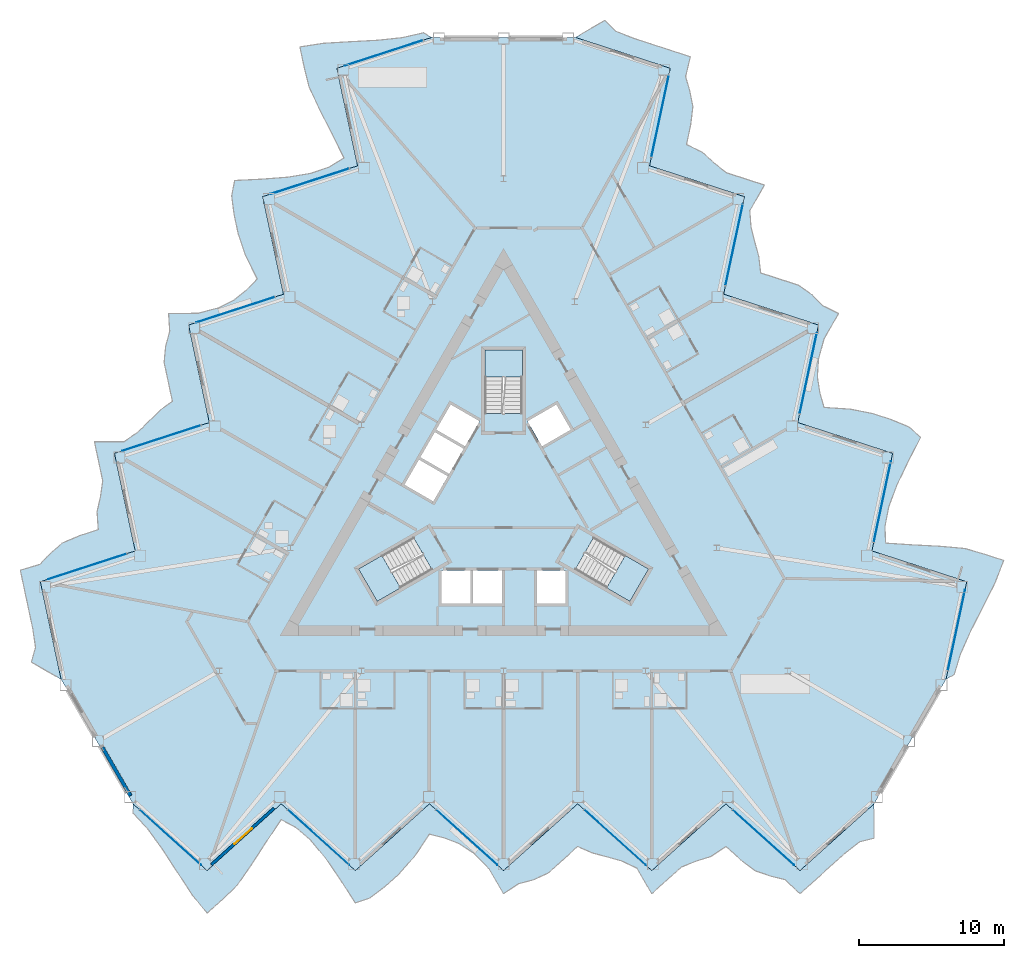
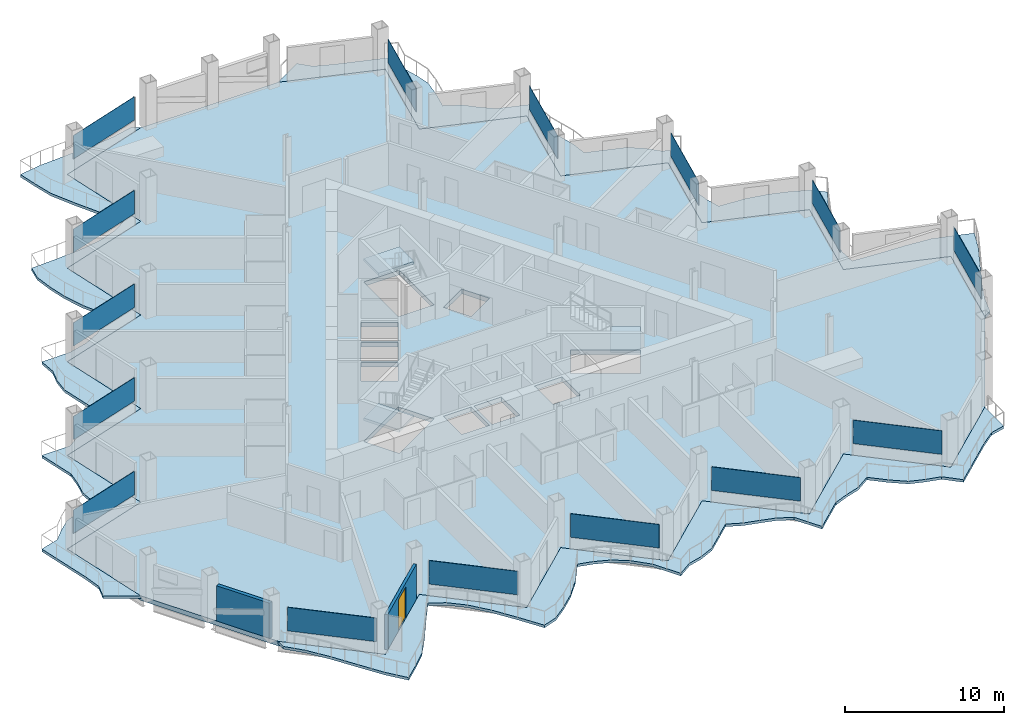
# One storey, part 9 of 23: 15 plates, 7 slabs, 2 walls, 1 door, 1 opening, 18 elements without a shape of their own.
"""IFC4 building model written with IfcOpenShell, lengths in metres."""

from ifc_helpers import new_model, si_unit, direction, frame, frame_2d, origin, origin_2d, place, context, subcontext, project, spatial, polyline, rectangle, outline, extrude, material, layer, layer_set, type_object, element, fill, aggregate, save


model = new_model("IFC4")

# Units and contexts
model_context = context("Model", 3, precision=1e-05, world=origin(), true_north=direction((0.0, 1.0)))
body_context = subcontext(model_context, "Body", "Model", "MODEL_VIEW")
ifc_project = project(units=[si_unit("LENGTHUNIT", "METRE"), si_unit("AREAUNIT", "SQUARE_METRE"), si_unit("VOLUMEUNIT", "CUBIC_METRE"), si_unit("PLANEANGLEUNIT", "RADIAN"), si_unit("MASSUNIT", "GRAM", prefix="KILO")], contexts=[model_context])

# Site, building, storey
site_placement = place(None, origin())
site = spatial("IfcSite", under=ifc_project, at=site_placement, CompositionType="ELEMENT")
building_placement = place(site_placement, origin())
building = spatial("IfcBuilding", under=site, at=building_placement, Name="Cormorant Prow Tower", CompositionType="ELEMENT")
storey_placement = place(building_placement, frame((0.0, 0.0, 180.0)))
storey = spatial("IfcBuildingStorey", under=building, at=storey_placement, Name="L38", CompositionType="ELEMENT", Elevation=180.0)

# Slabs
ifc_material_1 = material(Name="Concrete C40/50", Category="concrete")
ifc_layer_1 = layer(ifc_material_1, 0.199951171875)
ifc_layer_set_1 = layer_set([ifc_layer_1], Name="Concrete C40/50")
slab_type_1 = type_object("IfcSlabType", Name="Balcony slab 200", PredefinedType="FLOOR", material=ifc_layer_set_1)
slab_1_placement = place(storey_placement, frame((0.0, 0.0, -0.199951171875)))
element("IfcSlab", 1, at=slab_1_placement, inside=storey, type_object=slab_type_1, Name="Balcony slab S L38", PredefinedType="FLOOR", context=body_context, shape_type="SweptSolid", body=[
    extrude(outline(polyline([(-25.635498046875, -20.541748046875), (-25.635498046875, -21.191650390625), (-24.610107421875, -22.2939453125), (-23.584716796875, -23.703125), (-22.559326171875, -25.280029296875), (-21.533935546875, -26.837158203125), (-20.508544921875, -28.108154296875), (-19.48291015625, -27.184814453125), (-18.45751953125, -26.20556640625), (-17.43212890625, -24.7490234375), (-16.40673828125, -23.160400390625), (-15.38134765625, -21.63037109375), (-14.35595703125, -22.179443359375), (-13.33056640625, -23.068115234375), (-12.30517578125, -24.306396484375), (-11.279541015625, -25.803955078125), (-10.254150390625, -27.396240234375), (-9.228759765625, -27.045166015625), (-8.203369140625, -26.261474609375), (-7.177978515625, -25.33837890625), (-6.152587890625, -24.17041015625), (-5.127197265625, -22.638671875), (-4.101806640625, -22.897216796875), (-3.076171875, -23.289794921875), (-2.05078125, -23.96826171875), (-1.025390625, -25.0029296875), (0.0, -26.758056640625), (1.025390625, -26.073974609375), (2.05078125, -25.80322265625), (3.076171875, -25.33837890625), (4.101806640625, -24.4150390625), (5.127197265625, -23.49169921875), (6.152587890625, -23.943359375), (7.177978515625, -24.212158203125), (8.203369140625, -24.5029296875), (9.228759765625, -24.99658203125), (10.254150390625, -26.758056640625), (11.279541015625, -25.8349609375), (12.30517578125, -24.91162109375), (13.33056640625, -24.500244140625), (14.35595703125, -24.181884765625), (15.38134765625, -23.49169921875), (16.40673828125, -24.4150390625), (17.43212890625, -25.188232421875), (18.45751953125, -25.53515625), (19.48291015625, -25.789306640625), (20.508544921875, -26.758056640625), (21.533935546875, -25.8349609375), (22.559326171875, -24.91162109375), (23.584716796875, -23.98828125), (24.610107421875, -23.17529296875), (25.635498046875, -22.91650390625), (25.635498046875, -20.541748046875), (24.610107421875, -21.465087890625), (23.584716796875, -22.38818359375), (22.559326171875, -23.3115234375), (21.533935546875, -24.23486328125), (20.508544921875, -25.158203125), (19.48291015625, -24.23486328125), (18.45751953125, -23.3115234375), (17.43212890625, -22.38818359375), (16.40673828125, -21.465087890625), (15.38134765625, -20.541748046875), (14.35595703125, -21.465087890625), (13.33056640625, -22.38818359375), (12.30517578125, -23.3115234375), (11.279541015625, -24.23486328125), (10.254150390625, -25.158203125), (9.228759765625, -24.23486328125), (8.203369140625, -23.3115234375), (7.177978515625, -22.38818359375), (6.152587890625, -21.465087890625), (5.127197265625, -20.541748046875), (4.101806640625, -21.465087890625), (3.076171875, -22.38818359375), (2.05078125, -23.3115234375), (1.025390625, -24.23486328125), (0.0, -25.158203125), (-1.025390625, -24.23486328125), (-2.05078125, -23.3115234375), (-3.076171875, -22.38818359375), (-4.101806640625, -21.465087890625), (-5.127197265625, -20.541748046875), (-6.152587890625, -21.465087890625), (-7.177978515625, -22.38818359375), (-8.203369140625, -23.3115234375), (-9.228759765625, -24.23486328125), (-10.254150390625, -25.158203125), (-11.279541015625, -24.23486328125), (-12.30517578125, -23.3115234375), (-13.33056640625, -22.38818359375), (-14.35595703125, -21.465087890625), (-15.38134765625, -20.541748046875), (-16.40673828125, -21.465087890625), (-17.43212890625, -22.38818359375), (-18.45751953125, -23.3115234375), (-19.48291015625, -24.23486328125), (-20.508544921875, -25.158203125), (-21.533935546875, -24.23486328125), (-22.559326171875, -23.3115234375), (-23.584716796875, -22.38818359375), (-24.610107421875, -21.465087890625), (-25.635498046875, -20.541748046875)])), origin(), (0.0, 0.0, 1.0), 0.199951171875),
])
slab_2_placement = place(storey_placement, frame((0.0, 0.0, -0.199951171875)))
element("IfcSlab", 2, at=slab_2_placement, inside=storey, type_object=slab_type_1, Name="Balcony slab ENE L38", PredefinedType="FLOOR", context=body_context, shape_type="SweptSolid", body=[
    extrude(outline(polyline([(30.607421875, -11.93017578125), (31.17041015625, -11.605224609375), (31.6123046875, -10.166015625), (32.31982421875, -8.5732421875), (33.1728515625, -6.89697265625), (34.008544921875, -5.230224609375), (34.5966796875, -3.706787109375), (33.2841796875, -3.2802734375), (31.923583984375, -2.882080078125), (30.1494140625, -2.72216796875), (28.260986328125, -2.62841796875), (26.423095703125, -2.50537109375), (26.385986328125, -1.3427734375), (26.642822265625, -0.010498046875), (27.202392578125, 1.49658203125), (27.98681640625, 3.133544921875), (28.85302734375, 4.817626953125), (28.0361328125, 5.5302734375), (26.844970703125, 6.0263671875), (25.532470703125, 6.452880859375), (24.008544921875, 6.7568359375), (22.169189453125, 6.879150390625), (21.88037109375, 7.896484375), (21.70751953125, 8.980712890625), (21.782470703125, 10.2080078125), (22.166015625, 11.613525390625), (23.17333984375, 13.379150390625), (22.068115234375, 13.925048828125), (21.32080078125, 14.677734375), (20.405517578125, 15.333251953125), (19.093017578125, 15.759765625), (17.78076171875, 16.18603515625), (17.6591796875, 17.2998046875), (17.37939453125, 18.322509765625), (17.118408203125, 19.355712890625), (17.033447265625, 20.49072265625), (18.046142578125, 22.259521484375), (16.73388671875, 22.685791015625), (15.42138671875, 23.1123046875), (14.552734375, 23.794677734375), (13.76416015625, 24.5234375), (12.65380859375, 25.06640625), (12.940673828125, 26.416259765625), (13.097412109375, 27.69091796875), (12.88525390625, 28.75244140625), (12.5927734375, 29.767578125), (12.9189453125, 31.139892578125), (11.606689453125, 31.56640625), (10.29443359375, 31.99267578125), (8.982177734375, 32.419189453125), (7.765380859375, 32.900634765625), (7.028564453125, 33.6591796875), (4.971923828125, 32.471923828125), (6.2841796875, 32.04541015625), (7.596435546875, 31.619140625), (8.90869140625, 31.192626953125), (10.220947265625, 30.766357421875), (11.533447265625, 30.33984375), (11.24658203125, 28.990234375), (10.959716796875, 27.640625), (10.672607421875, 26.290771484375), (10.3857421875, 24.941162109375), (10.098876953125, 23.591552734375), (11.4111328125, 23.1650390625), (12.7236328125, 22.73876953125), (14.035888671875, 22.312255859375), (15.34814453125, 21.885986328125), (16.660400390625, 21.45947265625), (16.37353515625, 20.10986328125), (16.086669921875, 18.760009765625), (15.7998046875, 17.410400390625), (15.512939453125, 16.060791015625), (15.22607421875, 14.7109375), (16.538330078125, 14.28466796875), (17.8505859375, 13.858154296875), (19.1630859375, 13.431884765625), (20.475341796875, 13.00537109375), (21.78759765625, 12.5791015625), (21.500732421875, 11.2294921875), (21.2138671875, 9.879638671875), (20.927001953125, 8.530029296875), (20.64013671875, 7.180419921875), (20.353271484375, 5.83056640625), (21.66552734375, 5.404296875), (22.977783203125, 4.977783203125), (24.2900390625, 4.551513671875), (25.602294921875, 4.125), (26.914794921875, 3.69873046875), (26.6279296875, 2.348876953125), (26.3408203125, 0.999267578125), (26.053955078125, -0.350341796875), (25.76708984375, -1.7001953125), (25.480224609375, -3.0498046875), (26.79248046875, -3.47607421875), (28.10498046875, -3.902587890625), (29.417236328125, -4.328857421875), (30.7294921875, -4.75537109375), (32.041748046875, -5.181884765625), (31.7548828125, -6.531494140625), (31.468017578125, -7.881103515625), (31.18115234375, -9.230712890625), (30.894287109375, -10.58056640625), (30.607421875, -11.93017578125)])), origin(), (0.0, 0.0, 1.0), 0.199951171875),
])
slab_3_placement = place(storey_placement, frame((0.0, 0.0, -0.199951171875)))
element("IfcSlab", 3, at=slab_3_placement, inside=storey, type_object=slab_type_1, Name="Balcony slab WNW L38", PredefinedType="FLOOR", context=body_context, shape_type="SweptSolid", body=[
    extrude(outline(polyline([(-4.971923828125, 32.471923828125), (-5.53466796875, 32.796875), (-7.002197265625, 32.4599609375), (-8.735107421875, 32.276611328125), (-10.613525390625, 32.177001953125), (-12.474853515625, 32.0673828125), (-14.088134765625, 31.81494140625), (-13.80126953125, 30.46533203125), (-13.4658203125, 29.087646484375), (-12.71728515625, 27.47119140625), (-11.854248046875, 25.788818359375), (-11.041748046875, 24.1357421875), (-12.030029296875, 23.522216796875), (-13.312255859375, 23.07861328125), (-14.8974609375, 22.809814453125), (-16.70703125, 22.67041015625), (-18.598876953125, 22.57861328125), (-18.807373046875, 21.514892578125), (-18.6416015625, 20.235107421875), (-18.3544921875, 18.885498046875), (-17.85595703125, 17.41357421875), (-17.042236328125, 15.759521484375), (-17.77880859375, 15.000732421875), (-18.63134765625, 14.30908203125), (-19.731689453125, 13.76025390625), (-21.140625, 13.3896484375), (-23.17333984375, 13.379150390625), (-23.093505859375, 12.14892578125), (-23.371826171875, 11.12548828125), (-23.481689453125, 10.005126953125), (-23.19482421875, 8.6552734375), (-22.907958984375, 7.3056640625), (-23.811767578125, 6.643310546875), (-24.557373046875, 5.889892578125), (-25.32177734375, 5.147216796875), (-26.26220703125, 4.505859375), (-28.30029296875, 4.49853515625), (-28.013427734375, 3.14892578125), (-27.7265625, 1.79931640625), (-27.883056640625, 0.70556640625), (-28.1201171875, -0.341552734375), (-28.03515625, -1.57470703125), (-29.347412109375, -2.001220703125), (-30.52978515625, -2.502685546875), (-31.3427734375, -3.21728515625), (-32.07568359375, -3.97802734375), (-33.427490234375, -4.3818359375), (-33.140625, -5.7314453125), (-32.853759765625, -7.0810546875), (-32.56689453125, -8.430908203125), (-32.37548828125, -9.725341796875), (-32.6640625, -10.742919921875), (-30.607421875, -11.93017578125), (-30.894287109375, -10.58056640625), (-31.18115234375, -9.230712890625), (-31.468017578125, -7.881103515625), (-31.7548828125, -6.531494140625), (-32.041748046875, -5.181884765625), (-30.7294921875, -4.75537109375), (-29.417236328125, -4.328857421875), (-28.10498046875, -3.902587890625), (-26.79248046875, -3.47607421875), (-25.480224609375, -3.0498046875), (-25.76708984375, -1.7001953125), (-26.053955078125, -0.350341796875), (-26.3408203125, 0.999267578125), (-26.6279296875, 2.348876953125), (-26.914794921875, 3.69873046875), (-25.602294921875, 4.125), (-24.2900390625, 4.551513671875), (-22.977783203125, 4.977783203125), (-21.66552734375, 5.404296875), (-20.353271484375, 5.83056640625), (-20.64013671875, 7.180419921875), (-20.927001953125, 8.530029296875), (-21.2138671875, 9.879638671875), (-21.500732421875, 11.2294921875), (-21.78759765625, 12.5791015625), (-20.475341796875, 13.00537109375), (-19.1630859375, 13.431884765625), (-17.8505859375, 13.858154296875), (-16.538330078125, 14.28466796875), (-15.22607421875, 14.7109375), (-15.512939453125, 16.060791015625), (-15.7998046875, 17.410400390625), (-16.086669921875, 18.760009765625), (-16.37353515625, 20.10986328125), (-16.660400390625, 21.45947265625), (-15.34814453125, 21.885986328125), (-14.035888671875, 22.312255859375), (-12.7236328125, 22.73876953125), (-11.4111328125, 23.1650390625), (-10.098876953125, 23.591552734375), (-10.3857421875, 24.941162109375), (-10.672607421875, 26.290771484375), (-10.959716796875, 27.640625), (-11.24658203125, 28.990234375), (-11.533447265625, 30.33984375), (-10.220947265625, 30.766357421875), (-8.90869140625, 31.192626953125), (-7.596435546875, 31.619140625), (-6.2841796875, 32.04541015625), (-4.971923828125, 32.471923828125)])), origin(), (0.0, 0.0, 1.0), 0.199951171875),
])

# Curtain wall, plate
ifc_material_2 = material(Name="Aluminium 6063-T6", Category="aluminium")
ifc_layer_2 = layer(ifc_material_2, 0.179931640625)
ifc_layer_set_2 = layer_set([ifc_layer_2], Name="Aluminium 6063-T6")
curtain_wall_type = type_object("IfcCurtainWallType", Name="Hotel unitised curtain wall 180", PredefinedType="NOTDEFINED", material=ifc_layer_set_2)
curtain_wall_1_placement = place(storey_placement, origin())
curtain_wall_1 = element("IfcCurtainWall", 4, at=curtain_wall_1_placement, inside=storey, type_object=curtain_wall_type, Name="Hotel curtain wall S00", PredefinedType="NOTDEFINED")
ifc_material_3 = material(Name="Clear glass", Category="glass")
ifc_layer_3 = layer(ifc_material_3, 0.028076171875)
ifc_layer_set_3 = layer_set([ifc_layer_3], Name="Clear glass")
plate_type = type_object("IfcPlateType", Name="Hotel glass panel 28", PredefinedType="CURTAIN_PANEL", material=ifc_layer_set_3)
plate_1_placement = place(storey_placement, frame((-23.0498046875, -22.869873046875, 0.900146484375), z_axis=(0.0, 0.0, 1.0), x_axis=(0.743144780819, -0.669130655957, 0.0)))
plate_1 = element("IfcPlate", 5, at=plate_1_placement, type_object=plate_type, Name="Hotel glass panel S00", PredefinedType="CURTAIN_PANEL", context=body_context, shape_type="SweptSolid", body=[
    extrude(rectangle(XDim=5.703125, YDim=0.028076171875, at=origin_2d()), origin(), (0.0, 0.0, 1.0), 1.80078125),
])
aggregate(curtain_wall_1, [plate_1])

curtain_wall_2_placement = place(storey_placement, origin())
curtain_wall_2 = element("IfcCurtainWall", 6, at=curtain_wall_2_placement, inside=storey, type_object=curtain_wall_type, Name="Hotel curtain wall S02", PredefinedType="NOTDEFINED")
plate_2_placement = place(storey_placement, frame((-12.79541015625, -22.869873046875, 0.900146484375), z_axis=(0.0, 0.0, 1.0), x_axis=(0.743144845716, -0.669130583881, 0.0)))
plate_2 = element("IfcPlate", 7, at=plate_2_placement, type_object=plate_type, Name="Hotel glass panel S02", PredefinedType="CURTAIN_PANEL", context=body_context, shape_type="SweptSolid", body=[
    extrude(rectangle(XDim=5.703125, YDim=0.028076171875, at=origin_2d()), origin(), (0.0, 0.0, 1.0), 1.80078125),
])
aggregate(curtain_wall_2, [plate_2])

curtain_wall_3_placement = place(storey_placement, origin())
curtain_wall_3 = element("IfcCurtainWall", 8, at=curtain_wall_3_placement, inside=storey, type_object=curtain_wall_type, Name="Hotel curtain wall S04", PredefinedType="NOTDEFINED")
plate_3_placement = place(storey_placement, frame((-2.541259765625, -22.869873046875, 0.900146484375), z_axis=(0.0, 0.0, 1.0), x_axis=(0.743144845716, -0.669130583881, 0.0)))
plate_3 = element("IfcPlate", 9, at=plate_3_placement, type_object=plate_type, Name="Hotel glass panel S04", PredefinedType="CURTAIN_PANEL", context=body_context, shape_type="SweptSolid", body=[
    extrude(rectangle(XDim=5.703125, YDim=0.028076171875, at=origin_2d()), origin(), (0.0, 0.0, 1.0), 1.80078125),
])
aggregate(curtain_wall_3, [plate_3])

curtain_wall_4_placement = place(storey_placement, origin())
curtain_wall_4 = element("IfcCurtainWall", 10, at=curtain_wall_4_placement, inside=storey, type_object=curtain_wall_type, Name="Hotel curtain wall S06", PredefinedType="NOTDEFINED")
plate_4_placement = place(storey_placement, frame((7.712890625, -22.869873046875, 0.900146484375), z_axis=(0.0, 0.0, 1.0), x_axis=(0.743144780819, -0.669130655957, 0.0)))
plate_4 = element("IfcPlate", 11, at=plate_4_placement, type_object=plate_type, Name="Hotel glass panel S06", PredefinedType="CURTAIN_PANEL", context=body_context, shape_type="SweptSolid", body=[
    extrude(rectangle(XDim=5.703125, YDim=0.028076171875, at=origin_2d()), origin(), (0.0, 0.0, 1.0), 1.80078125),
])
aggregate(curtain_wall_4, [plate_4])

curtain_wall_5_placement = place(storey_placement, origin())
curtain_wall_5 = element("IfcCurtainWall", 12, at=curtain_wall_5_placement, inside=storey, type_object=curtain_wall_type, Name="Hotel curtain wall S08", PredefinedType="NOTDEFINED")
plate_5_placement = place(storey_placement, frame((17.96728515625, -22.869873046875, 0.900146484375), z_axis=(0.0, 0.0, 1.0), x_axis=(0.743144845716, -0.669130583881, 0.0)))
plate_5 = element("IfcPlate", 13, at=plate_5_placement, type_object=plate_type, Name="Hotel glass panel S08", PredefinedType="CURTAIN_PANEL", context=body_context, shape_type="SweptSolid", body=[
    extrude(rectangle(XDim=5.703125, YDim=0.028076171875, at=origin_2d()), origin(), (0.0, 0.0, 1.0), 1.80078125),
])
aggregate(curtain_wall_5, [plate_5])

curtain_wall_6_placement = place(storey_placement, origin())
curtain_wall_6 = element("IfcCurtainWall", 14, at=curtain_wall_6_placement, inside=storey, type_object=curtain_wall_type, Name="Hotel curtain wall ENE00", PredefinedType="NOTDEFINED")
plate_6_placement = place(storey_placement, frame((31.330810546875, -8.526611328125, 0.900146484375), z_axis=(0.0, 0.0, 1.0), x_axis=(0.207911733685, 0.978147591622, 0.0)))
plate_6 = element("IfcPlate", 15, at=plate_6_placement, type_object=plate_type, Name="Hotel glass panel ENE00", PredefinedType="CURTAIN_PANEL", context=body_context, shape_type="SweptSolid", body=[
    extrude(rectangle(XDim=5.703125, YDim=0.028076171875, at=origin_2d()), origin(), (0.0, 0.0, 1.0), 1.80078125),
])
aggregate(curtain_wall_6, [plate_6])

curtain_wall_7_placement = place(storey_placement, origin())
curtain_wall_7 = element("IfcCurtainWall", 16, at=curtain_wall_7_placement, inside=storey, type_object=curtain_wall_type, Name="Hotel curtain wall ENE02", PredefinedType="NOTDEFINED")
plate_7_placement = place(storey_placement, frame((26.20361328125, 0.353759765625, 0.900146484375), z_axis=(0.0, 0.0, 1.0), x_axis=(0.207911594993, 0.978147621102, 0.0)))
plate_7 = element("IfcPlate", 17, at=plate_7_placement, type_object=plate_type, Name="Hotel glass panel ENE02", PredefinedType="CURTAIN_PANEL", context=body_context, shape_type="SweptSolid", body=[
    extrude(rectangle(XDim=5.703125, YDim=0.028076171875, at=origin_2d()), origin(), (0.0, 0.0, 1.0), 1.80078125),
])
aggregate(curtain_wall_7, [plate_7])

curtain_wall_8_placement = place(storey_placement, origin())
curtain_wall_8 = element("IfcCurtainWall", 18, at=curtain_wall_8_placement, inside=storey, type_object=curtain_wall_type, Name="Hotel curtain wall ENE04", PredefinedType="NOTDEFINED")
plate_8_placement = place(storey_placement, frame((21.07666015625, 9.234130859375, 0.900146484375), z_axis=(0.0, 0.0, 1.0), x_axis=(0.207911763151, 0.978147585359, 0.0)))
plate_8 = element("IfcPlate", 19, at=plate_8_placement, type_object=plate_type, Name="Hotel glass panel ENE04", PredefinedType="CURTAIN_PANEL", context=body_context, shape_type="SweptSolid", body=[
    extrude(rectangle(XDim=5.703125, YDim=0.028076171875, at=origin_2d()), origin(), (0.0, 0.0, 1.0), 1.80078125),
])
aggregate(curtain_wall_8, [plate_8])

curtain_wall_9_placement = place(storey_placement, origin())
curtain_wall_9 = element("IfcCurtainWall", 20, at=curtain_wall_9_placement, inside=storey, type_object=curtain_wall_type, Name="Hotel curtain wall ENE06", PredefinedType="NOTDEFINED")
plate_9_placement = place(storey_placement, frame((15.949462890625, 18.114501953125, 0.900146484375), z_axis=(0.0, 0.0, 1.0), x_axis=(0.207911763151, 0.978147585359, 0.0)))
plate_9 = element("IfcPlate", 21, at=plate_9_placement, type_object=plate_type, Name="Hotel glass panel ENE06", PredefinedType="CURTAIN_PANEL", context=body_context, shape_type="SweptSolid", body=[
    extrude(rectangle(XDim=5.703125, YDim=0.028076171875, at=origin_2d()), origin(), (0.0, 0.0, 1.0), 1.80078125),
])
aggregate(curtain_wall_9, [plate_9])

curtain_wall_10_placement = place(storey_placement, origin())
curtain_wall_10 = element("IfcCurtainWall", 22, at=curtain_wall_10_placement, inside=storey, type_object=curtain_wall_type, Name="Hotel curtain wall ENE08", PredefinedType="NOTDEFINED")
plate_10_placement = place(storey_placement, frame((10.822509765625, 26.9951171875, 0.900146484375), z_axis=(0.0, 0.0, 1.0), x_axis=(0.207911594993, 0.978147621102, 0.0)))
plate_10 = element("IfcPlate", 23, at=plate_10_placement, type_object=plate_type, Name="Hotel glass panel ENE08", PredefinedType="CURTAIN_PANEL", context=body_context, shape_type="SweptSolid", body=[
    extrude(rectangle(XDim=5.703125, YDim=0.028076171875, at=origin_2d()), origin(), (0.0, 0.0, 1.0), 1.80078125),
])
aggregate(curtain_wall_10, [plate_10])

curtain_wall_11_placement = place(storey_placement, origin())
curtain_wall_11 = element("IfcCurtainWall", 24, at=curtain_wall_11_placement, inside=storey, type_object=curtain_wall_type, Name="Hotel curtain wall WNW00", PredefinedType="NOTDEFINED")
plate_11_placement = place(storey_placement, frame((-8.28125, 31.396728515625, 0.900146484375), z_axis=(0.0, 0.0, 1.0), x_axis=(-0.951056527314, -0.309016960463, 0.0)))
plate_11 = element("IfcPlate", 25, at=plate_11_placement, type_object=plate_type, Name="Hotel glass panel WNW00", PredefinedType="CURTAIN_PANEL", context=body_context, shape_type="SweptSolid", body=[
    extrude(rectangle(XDim=5.703125, YDim=0.028076171875, at=origin_2d()), origin(), (0.0, 0.0, 1.0), 1.80078125),
])
aggregate(curtain_wall_11, [plate_11])

curtain_wall_12_placement = place(storey_placement, origin())
curtain_wall_12 = element("IfcCurtainWall", 26, at=curtain_wall_12_placement, inside=storey, type_object=curtain_wall_type, Name="Hotel curtain wall WNW02", PredefinedType="NOTDEFINED")
plate_12_placement = place(storey_placement, frame((-13.408203125, 22.51611328125, 0.900146484375), z_axis=(0.0, 0.0, 1.0), x_axis=(-0.951056527314, -0.309016960463, 0.0)))
plate_12 = element("IfcPlate", 27, at=plate_12_placement, type_object=plate_type, Name="Hotel glass panel WNW02", PredefinedType="CURTAIN_PANEL", context=body_context, shape_type="SweptSolid", body=[
    extrude(rectangle(XDim=5.703125, YDim=0.028076171875, at=origin_2d()), origin(), (0.0, 0.0, 1.0), 1.80078125),
])
aggregate(curtain_wall_12, [plate_12])

curtain_wall_13_placement = place(storey_placement, origin())
curtain_wall_13 = element("IfcCurtainWall", 28, at=curtain_wall_13_placement, inside=storey, type_object=curtain_wall_type, Name="Hotel curtain wall WNW04", PredefinedType="NOTDEFINED")
plate_13_placement = place(storey_placement, frame((-18.535400390625, 13.6357421875, 0.900146484375), z_axis=(0.0, 0.0, 1.0), x_axis=(-0.951056498556, -0.309017048969, 0.0)))
plate_13 = element("IfcPlate", 29, at=plate_13_placement, type_object=plate_type, Name="Hotel glass panel WNW04", PredefinedType="CURTAIN_PANEL", context=body_context, shape_type="SweptSolid", body=[
    extrude(rectangle(XDim=5.703125, YDim=0.028076171875, at=origin_2d()), origin(), (0.0, 0.0, 1.0), 1.80078125),
])
aggregate(curtain_wall_13, [plate_13])

curtain_wall_14_placement = place(storey_placement, origin())
curtain_wall_14 = element("IfcCurtainWall", 30, at=curtain_wall_14_placement, inside=storey, type_object=curtain_wall_type, Name="Hotel curtain wall WNW06", PredefinedType="NOTDEFINED")
plate_14_placement = place(storey_placement, frame((-23.662353515625, 4.75537109375, 0.900146484375), z_axis=(0.0, 0.0, 1.0), x_axis=(-0.951056527314, -0.309016960463, 0.0)))
plate_14 = element("IfcPlate", 31, at=plate_14_placement, type_object=plate_type, Name="Hotel glass panel WNW06", PredefinedType="CURTAIN_PANEL", context=body_context, shape_type="SweptSolid", body=[
    extrude(rectangle(XDim=5.703125, YDim=0.028076171875, at=origin_2d()), origin(), (0.0, 0.0, 1.0), 1.80078125),
])
aggregate(curtain_wall_14, [plate_14])

curtain_wall_15_placement = place(storey_placement, origin())
curtain_wall_15 = element("IfcCurtainWall", 32, at=curtain_wall_15_placement, inside=storey, type_object=curtain_wall_type, Name="Hotel curtain wall WNW08", PredefinedType="NOTDEFINED")
plate_15_placement = place(storey_placement, frame((-28.78955078125, -4.125, 0.900146484375), z_axis=(0.0, 0.0, 1.0), x_axis=(-0.951056527314, -0.309016960463, 0.0)))
plate_15 = element("IfcPlate", 33, at=plate_15_placement, type_object=plate_type, Name="Hotel glass panel WNW08", PredefinedType="CURTAIN_PANEL", context=body_context, shape_type="SweptSolid", body=[
    extrude(rectangle(XDim=5.703125, YDim=0.028076171875, at=origin_2d()), origin(), (0.0, 0.0, 1.0), 1.80078125),
])
aggregate(curtain_wall_15, [plate_15])

# Slab
ifc_material_4 = material(Name="Concrete C40/50", Category="concrete")
ifc_layer_4 = layer(ifc_material_4, 0.35009765625)
ifc_layer_set_4 = layer_set([ifc_layer_4], Name="Concrete C40/50")
slab_type_2 = type_object("IfcSlabType", Name="Post-tensioned flat slab 350", PredefinedType="FLOOR", material=ifc_layer_set_4)
slab_4_placement = place(storey_placement, frame((0.0, 0.0, -0.35009765625)))
element("IfcSlab", 34, at=slab_4_placement, inside=storey, type_object=slab_type_2, Name="Floor slab L38", PredefinedType="FLOOR", context=body_context, shape_type="SweptSolid", body=[
    extrude(outline(polyline([(-10.098876953125, 23.591552734375), (-16.660400390625, 21.45947265625), (-15.22607421875, 14.7109375), (-21.78759765625, 12.5791015625), (-20.353271484375, 5.83056640625), (-26.914794921875, 3.69873046875), (-25.480224609375, -3.0498046875), (-32.041748046875, -5.181884765625), (-30.607421875, -11.93017578125), (-28.12158203125, -16.23583984375), (-25.635498046875, -20.541748046875), (-20.508544921875, -25.158203125), (-15.38134765625, -20.541748046875), (-10.254150390625, -25.158203125), (-5.127197265625, -20.541748046875), (0.0, -25.158203125), (5.127197265625, -20.541748046875), (10.254150390625, -25.158203125), (15.38134765625, -20.541748046875), (20.508544921875, -25.158203125), (25.635498046875, -20.541748046875), (28.12158203125, -16.23583984375), (30.607421875, -11.93017578125), (32.041748046875, -5.181884765625), (25.480224609375, -3.0498046875), (26.914794921875, 3.69873046875), (20.353271484375, 5.83056640625), (21.78759765625, 12.5791015625), (15.22607421875, 14.7109375), (16.660400390625, 21.45947265625), (10.098876953125, 23.591552734375), (11.533447265625, 30.33984375), (4.971923828125, 32.471923828125), (0.0, 32.471923828125), (-4.971923828125, 32.471923828125), (-11.533447265625, 30.33984375), (-10.098876953125, 23.591552734375)]), holes=[polyline([(-4.300048828125, -4.39990234375), (-2.300048828125, -4.39990234375), (-2.300048828125, -6.699951171875), (-4.300048828125, -6.699951171875), (-4.300048828125, -4.39990234375)]), polyline([(-0.10009765625, -4.39990234375), (-0.10009765625, -6.699951171875), (-2.10009765625, -6.699951171875), (-2.10009765625, -4.39990234375), (-0.10009765625, -4.39990234375)]), polyline([(4.300048828125, -6.699951171875), (2.300048828125, -6.699951171875), (2.300048828125, -4.39990234375), (4.300048828125, -4.39990234375), (4.300048828125, -6.699951171875)]), polyline([(4.65234375, 5.341796875), (2.660400390625, 4.19189453125), (1.660400390625, 5.923828125), (3.65234375, 7.073974609375), (4.65234375, 5.341796875)]), polyline([(-1.660400390625, 5.923828125), (-2.660400390625, 4.19189453125), (-4.65234375, 5.341796875), (-3.65234375, 7.073974609375), (-1.660400390625, 5.923828125)]), polyline([(-3.760498046875, 2.28662109375), (-5.75244140625, 3.4365234375), (-4.75244140625, 5.168701171875), (-2.760498046875, 4.018798828125), (-3.760498046875, 2.28662109375)]), polyline([(-6.852294921875, 1.53125), (-5.852294921875, 3.263427734375), (-3.860595703125, 2.11328125), (-4.860595703125, 0.38134765625), (-6.852294921875, 1.53125)]), polyline([(-4.947509765625, -4.3505859375), (-8.738037109375, -6.5390625), (-10.031982421875, -4.2978515625), (-6.241455078125, -2.109375), (-4.947509765625, -4.3505859375)]), polyline([(10.031982421875, -4.2978515625), (8.738037109375, -6.5390625), (4.947509765625, -4.3505859375), (6.241455078125, -2.109375), (10.031982421875, -4.2978515625)]), polyline([(1.2939453125, 10.8369140625), (1.2939453125, 6.459716796875), (-1.2939453125, 6.459716796875), (-1.2939453125, 10.8369140625), (1.2939453125, 10.8369140625)])]), origin(), (0.0, 0.0, 1.0), 0.35009765625),
])

# Stair, slab
ifc_material_5 = material(Name="Exit stair 20 risers")
stair_type = type_object("IfcStairType", Name="Exit stair 20 risers", PredefinedType="HALF_TURN_STAIR", material=ifc_material_5)
stair_1_placement = place(storey_placement, origin())
stair_1 = element("IfcStair", 35, at=stair_1_placement, inside=storey, type_object=stair_type, Name="L38 Exit stair ST1", PredefinedType="HALF_TURN_STAIR")
ifc_material_6 = material(Name="Concrete 5000 psi", Category="concrete")
ifc_layer_5 = layer(ifc_material_6, 0.199951171875)
ifc_layer_set_5 = layer_set([ifc_layer_5], Name="Concrete 5000 psi")
slab_type_3 = type_object("IfcSlabType", Name="Stair landing 200", PredefinedType="LANDING", material=ifc_layer_set_5)
slab_5_placement = place(storey_placement, frame((0.0, 0.0, 1.60009765625)))
slab_5 = element("IfcSlab", 36, at=slab_5_placement, type_object=slab_type_3, Name="ST1 landing 1", PredefinedType="LANDING", context=body_context, shape_type="SweptSolid", body=[
    extrude(outline(polyline([(-8.416748046875, -3.365234375), (-10.031982421875, -4.2978515625), (-8.738037109375, -6.5390625), (-7.122802734375, -5.6064453125), (-8.416748046875, -3.365234375)])), origin(), (0.0, 0.0, 1.0), 0.199951171875),
])
aggregate(stair_1, [slab_5])

stair_2_placement = place(storey_placement, origin())
stair_2 = element("IfcStair", 37, at=stair_2_placement, inside=storey, type_object=stair_type, Name="L38 Exit stair ST2", PredefinedType="HALF_TURN_STAIR")
slab_6_placement = place(storey_placement, frame((0.0, 0.0, 1.60009765625)))
slab_6 = element("IfcSlab", 38, at=slab_6_placement, type_object=slab_type_3, Name="ST2 landing 1", PredefinedType="LANDING", context=body_context, shape_type="SweptSolid", body=[
    extrude(outline(polyline([(7.122802734375, -5.6064453125), (8.738037109375, -6.5390625), (10.031982421875, -4.2978515625), (8.416748046875, -3.365234375), (7.122802734375, -5.6064453125)])), origin(), (0.0, 0.0, 1.0), 0.199951171875),
])
aggregate(stair_2, [slab_6])

stair_3_placement = place(storey_placement, origin())
stair_3 = element("IfcStair", 39, at=stair_3_placement, inside=storey, type_object=stair_type, Name="L38 Exit stair ST3", PredefinedType="HALF_TURN_STAIR")
slab_7_placement = place(storey_placement, frame((0.0, 0.0, 1.60009765625)))
slab_7 = element("IfcSlab", 40, at=slab_7_placement, type_object=slab_type_3, Name="ST3 landing 1", PredefinedType="LANDING", context=body_context, shape_type="SweptSolid", body=[
    extrude(outline(polyline([(1.2939453125, 8.971923828125), (1.2939453125, 10.8369140625), (-1.2939453125, 10.8369140625), (-1.2939453125, 8.971923828125), (1.2939453125, 8.971923828125)])), origin(), (0.0, 0.0, 1.0), 0.199951171875),
])
aggregate(stair_3, [slab_7])

# Wall
ifc_material_7 = material(Name="Terracotta", Category="masonry")
ifc_layer_6 = layer(ifc_material_7, 0.25)
ifc_layer_set_6 = layer_set([ifc_layer_6], Name="Terracotta")
wall_type_1 = type_object("IfcWallType", Name="Terracotta bay wall 250", PredefinedType="SOLIDWALL", material=ifc_layer_set_6)
wall_1_placement = place(storey_placement, frame((-27.745361328125, -16.63720703125, 0.0), z_axis=(0.0, 0.0, 1.0), x_axis=(0.499981047344, -0.866036345829, 0.0)))
element("IfcWall", 41, at=wall_1_placement, inside=storey, type_object=wall_type_1, Name="Terracotta bay wall WSW01", PredefinedType="SOLIDWALL", context=body_context, shape_type="SweptSolid", body=[
    extrude(rectangle(XDim=3.868408203125, YDim=0.25, at=frame_2d((1.93408203125, 0.0))), origin(), (0.0, 0.0, 1.0), 2.700927734375),
])

# Wall, opening, door
ifc_material_8 = material(Name="Terracotta", Category="masonry")
ifc_layer_7 = layer(ifc_material_8, 0.199951171875)
ifc_layer_set_7 = layer_set([ifc_layer_7], Name="Terracotta")
wall_type_2 = type_object("IfcWallType", Name="Terracotta jamb wall 200", PredefinedType="SOLIDWALL", material=ifc_layer_set_7)
wall_2_placement = place(storey_placement, frame((-20.205322265625, -24.750732421875, 0.0), z_axis=(0.0, 0.0, 1.0), x_axis=(0.743135964011, 0.669140447883, 0.0)))
wall_2 = element("IfcWall", 42, at=wall_2_placement, inside=storey, type_object=wall_type_2, Name="Terracotta jamb wall S01", PredefinedType="SOLIDWALL", context=body_context, shape_type="SweptSolid", body=[
    extrude(rectangle(XDim=5.833251953125, YDim=0.199951171875, at=frame_2d((2.91650390625, 0.0))), origin(), (0.0, 0.0, 1.0), 2.700927734375),
])
opening_placement = place(wall_2_placement, frame((2.151611328125, 0.0, 0.0)))
opening = element("IfcOpeningElement", 43, at=opening_placement, cuts=wall_2, Name="Opening ED38.01", PredefinedType="OPENING", context=body_context, shape_type="SweptSolid", body=[
    extrude(rectangle(XDim=1.60009765625, YDim=2.39990234375, at=frame_2d((0.800048828125, 1.199951171875))), frame((0.0, 0.10986328125, 0.0), z_axis=(0.0, -1.0, 0.0), x_axis=(1.0, 0.0, 0.0)), (0.0, 0.0, 1.0), 0.219970703125),
])
ifc_material_9 = material(Name="Aluminium 6063-T6", Category="aluminium")
door_type = type_object("IfcDoorType", Name="Balcony door 1600x2400", OperationType="DOUBLE_DOOR_SINGLE_SWING", PredefinedType="DOOR", material=ifc_material_9)
door_placement = place(opening_placement, origin())
door = element("IfcDoor", 44, at=door_placement, inside=storey, type_object=door_type, Name="Balcony door S01 ED38.01", OperationType="DOUBLE_DOOR_SINGLE_SWING", OverallHeight=2.39990234375, OverallWidth=1.60009765625, PredefinedType="DOOR", context=body_context, shape_type="SweptSolid", body=[
    extrude(rectangle(XDim=1.60009765625, YDim=2.39990234375, at=frame_2d((0.800048828125, 1.199951171875))), frame((0.0, 0.02490234375, 0.0), z_axis=(0.0, -1.0, 0.0), x_axis=(1.0, 0.0, 0.0)), (0.0, 0.0, 1.0), 0.050048828125),
])
fill(opening, door)

save(model, "model.ifc")
